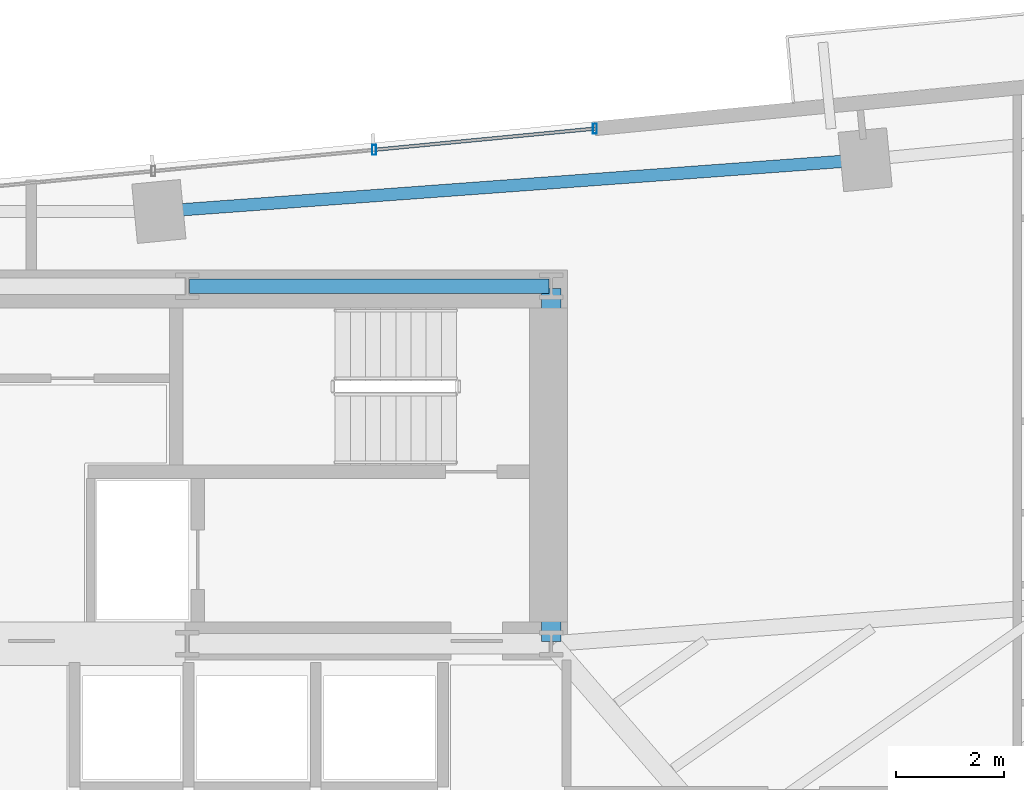
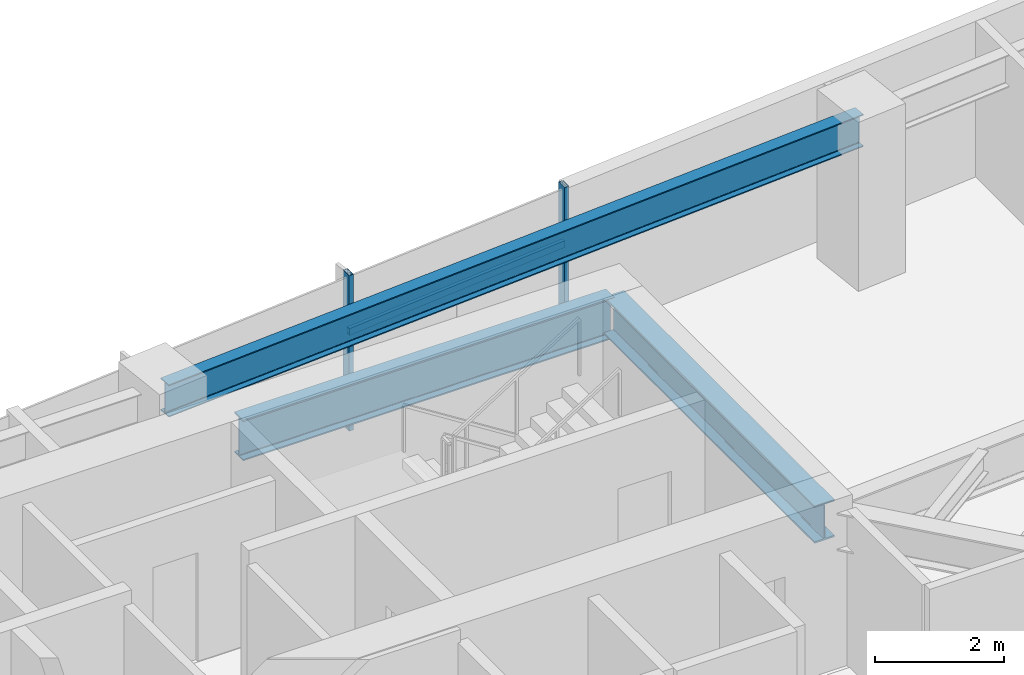
# One storey, part 15 of 25: 3 beams, 3 members, 1 element without a shape of its own.
"""IFC4 building model written with IfcOpenShell, lengths in metres."""

from ifc_helpers import new_model, si_unit, direction, frame, origin, origin_2d, place, context, subcontext, project, spatial, hollow_rectangle, i_section, extrude, source, transform, mapped, material, material_profile, profile_set, type_object, type_shapes, element, aggregate, save


model = new_model("IFC4")

# Units and contexts
model_context = context("Model", 3, precision=1e-05, world=origin(), true_north=direction((0.0, 1.0)))
body_context = subcontext(model_context, "Body", "Model", "MODEL_VIEW")
ifc_project = project(units=[si_unit("LENGTHUNIT", "METRE"), si_unit("AREAUNIT", "SQUARE_METRE"), si_unit("VOLUMEUNIT", "CUBIC_METRE"), si_unit("PLANEANGLEUNIT", "RADIAN"), si_unit("MASSUNIT", "GRAM", prefix="KILO")], contexts=[model_context])

# Site, building, storey
site_placement = place(None, origin())
site = spatial("IfcSite", under=ifc_project, at=site_placement, CompositionType="ELEMENT")
building_placement = place(site_placement, origin())
building = spatial("IfcBuilding", under=site, at=building_placement, Name="Astriad Promenade Condominiums", CompositionType="ELEMENT")
storey_placement = place(building_placement, frame((0.0, 0.0, 77.800048828125)))
storey = spatial("IfcBuildingStorey", under=building, at=storey_placement, Name="L21", CompositionType="ELEMENT", Elevation=77.800048828125)

# Beams
ifc_material_1 = material(Name="Steel ASTM A992 Grade 50", Category="steel")
ifc_material_profile_1 = material_profile(ifc_material_1, i_section(OverallWidth=0.267822265625, OverallDepth=0.76953125, WebThickness=0.015625, FlangeThickness=0.025390625, FilletRadius=0.021484375, at=origin_2d()), Name="W30X132")
ifc_profile_set_1 = profile_set([ifc_material_profile_1], Name="Steel ASTM A992 Grade 50")
beam_type_1 = type_object("IfcBeamType", Name="STEEL FLOOR GIRDER W30X132", PredefinedType="BEAM", material=ifc_profile_set_1)
shared_shape_1 = source(origin(), body_context, "Body", "SweptSolid", [
    extrude(i_section(OverallWidth=0.267822265625, OverallDepth=0.76953125, WebThickness=0.015625, FlangeThickness=0.025390625, FilletRadius=0.021484375, at=origin_2d()), origin(), (0.0, 0.0, 1.0), 6.64013671875),
])
type_shapes(beam_type_1, [shared_shape_1])
beam_1_placement = place(storey_placement, frame((38.919921875, 24.0, 2.55517578125), z_axis=(1.0, 0.0, 0.0), x_axis=(0.0, 1.0, 0.0)))
element("IfcBeam", 1, at=beam_1_placement, inside=storey, type_object=beam_type_1, Name="Core Ring Beam CG-N3-L21", PredefinedType="BEAM", context=body_context, shape_type="MappedRepresentation", body=[
    mapped(shared_shape_1, transform((0.0, 0.0, 0.0), scale=1.0)),
])
ifc_material_profile_2 = material_profile(ifc_material_1, i_section(OverallWidth=0.35791015625, OverallDepth=0.706298828125, WebThickness=0.018310546875, FlangeThickness=0.0302734375, FilletRadius=0.020263671875, at=origin_2d()), Name="W27X178")
ifc_profile_set_2 = profile_set([ifc_material_profile_2], Name="Steel ASTM A992 Grade 50")
beam_type_2 = type_object("IfcBeamType", Name="STEEL FLOOR GIRDER W27X178", PredefinedType="BEAM", material=ifc_profile_set_2)
shared_shape_2 = source(origin(), body_context, "Body", "SweptSolid", [
    extrude(i_section(OverallWidth=0.35791015625, OverallDepth=0.706298828125, WebThickness=0.018310546875, FlangeThickness=0.0302734375, FilletRadius=0.020263671875, at=origin_2d()), origin(), (0.0, 0.0, 1.0), 6.52001953125),
])
type_shapes(beam_type_2, [shared_shape_2])
beam_2_placement = place(storey_placement, frame((45.60009765625, 17.43994140625, 2.586669921875), z_axis=(0.0, 1.0, 0.0), x_axis=(-1.0, 0.0, 0.0)))
element("IfcBeam", 2, at=beam_2_placement, inside=storey, type_object=beam_type_2, Name="Core Ring Beam CG-E1-L21", PredefinedType="BEAM", context=body_context, shape_type="MappedRepresentation", body=[
    mapped(shared_shape_2, transform((0.0, 0.0, 0.0), scale=1.0)),
])
ifc_material_profile_3 = material_profile(ifc_material_1, i_section(OverallWidth=0.22900390625, OverallDepth=0.612060546875, WebThickness=0.011962890625, FlangeThickness=0.01953125, FilletRadius=0.017822265625, at=origin_2d()), Name="W24X84")
ifc_profile_set_3 = profile_set([ifc_material_profile_3], Name="Steel ASTM A992 Grade 50")
beam_type_3 = type_object("IfcBeamType", Name="STEEL SPANDREL BEAM W24X84", PredefinedType="SPANDREL", material=ifc_profile_set_3)
shared_shape_3 = source(origin(), body_context, "Body", "SweptSolid", [
    extrude(i_section(OverallWidth=0.22900390625, OverallDepth=0.612060546875, WebThickness=0.011962890625, FlangeThickness=0.01953125, FilletRadius=0.017822265625, at=origin_2d()), origin(), (0.0, 0.0, 1.0), 12.99462890625),
])
type_shapes(beam_type_3, [shared_shape_3])
beam_3_placement = place(storey_placement, frame((51.3544921875, 26.33203125, 2.6337890625), z_axis=(-0.997328518297, -0.073046742505, 0.0), x_axis=(0.073046742505, -0.997328518297, 0.0)))
element("IfcBeam", 3, at=beam_3_placement, inside=storey, type_object=beam_type_3, Name="Perimeter Spandrel Beam SP-N3-L21", PredefinedType="SPANDREL", context=body_context, shape_type="MappedRepresentation", body=[
    mapped(shared_shape_3, transform((0.0, 0.0, 0.0), scale=1.0)),
])

# Curtain wall, members
ifc_material_2 = material(Name="Anodised aluminium Black Dark Glass Unitised", Category="aluminium")
curtain_wall_type = type_object("IfcCurtainWallType", Name="CW-B2-DARK", PredefinedType="USERDEFINED", material=ifc_material_2)
curtain_wall_placement = place(storey_placement, origin())
curtain_wall = element("IfcCurtainWall", 4, at=curtain_wall_placement, inside=storey, type_object=curtain_wall_type, Name="CW-L21-N", ObjectType="UNITISED_CURTAIN_WALL", PredefinedType="USERDEFINED")
ifc_material_3 = material(Name="Anodised aluminium 6063-T6 Black", Category="aluminium")
ifc_material_profile_4 = material_profile(ifc_material_3, hollow_rectangle(XDim=0.074951171875, YDim=0.18505859375, WallThickness=0.00439453125, at=origin_2d()), Name="ALU-MUL-75X185")
ifc_profile_set_4 = profile_set([ifc_material_profile_4], Name="Anodised aluminium 6063-T6 Black")
member_type_1 = type_object("IfcMemberType", Name="MUL-ALU-MUL-75X185", PredefinedType="MULLION", material=ifc_profile_set_4)
shared_shape_4 = source(origin(), body_context, "Body", "SweptSolid", [
    extrude(hollow_rectangle(XDim=0.074951171875, YDim=0.18505859375, WallThickness=0.00439453125, at=origin_2d()), origin(), (0.0, 0.0, 1.0), 2.93994140625),
])
type_shapes(member_type_1, [shared_shape_4])
member_1_placement = place(storey_placement, frame((42.330078125, 26.51708984375, 0.0), z_axis=(0.0, 0.0, 1.0), x_axis=(1.0, 0.0, 0.0)))
member_1 = element("IfcMember", 5, at=member_1_placement, type_object=member_type_1, Name="CW-L21-N-MUL-03", PredefinedType="MULLION", context=body_context, shape_type="MappedRepresentation", body=[
    mapped(shared_shape_4, transform((0.0, 0.0, 0.0), scale=1.0)),
])
member_2_placement = place(storey_placement, frame((46.40625, 26.90966796875, 0.0), z_axis=(0.0, 0.0, 1.0), x_axis=(1.0, 0.0, 0.0)))
member_2 = element("IfcMember", 6, at=member_2_placement, type_object=member_type_1, Name="CW-L21-N-MUL-04", PredefinedType="MULLION", context=body_context, shape_type="MappedRepresentation", body=[
    mapped(shared_shape_4, transform((0.0, 0.0, 0.0), scale=1.0)),
])
ifc_material_profile_5 = material_profile(ifc_material_3, hollow_rectangle(XDim=0.06494140625, YDim=0.1298828125, WallThickness=0.00390625, at=origin_2d()), Name="ALU-TRN-65X130")
ifc_profile_set_5 = profile_set([ifc_material_profile_5], Name="Anodised aluminium 6063-T6 Black")
member_type_2 = type_object("IfcMemberType", Name="TRN-ALU-TRN-65X130", PredefinedType="USERDEFINED", material=ifc_profile_set_5)
shared_shape_5 = source(origin(), body_context, "Body", "SweptSolid", [
    extrude(hollow_rectangle(XDim=0.06494140625, YDim=0.1298828125, WallThickness=0.00390625, at=origin_2d()), origin(), (0.0, 0.0, 1.0), 4.094970703125),
])
type_shapes(member_type_2, [shared_shape_5])
member_3_placement = place(storey_placement, frame((42.330078125, 26.51708984375, 1.82275390625), z_axis=(0.995394161585, 0.09586690296, 0.0), x_axis=(-0.09586690296, 0.995394161585, 0.0)))
member_3 = element("IfcMember", 7, at=member_3_placement, type_object=member_type_2, Name="CW-L21-N-TRN-03-0", ObjectType="TRANSOM", PredefinedType="USERDEFINED", context=body_context, shape_type="MappedRepresentation", body=[
    mapped(shared_shape_5, transform((0.0, 0.0, 0.0), scale=1.0)),
])
aggregate(curtain_wall, [member_1, member_2, member_3])

save(model, "model.ifc")
